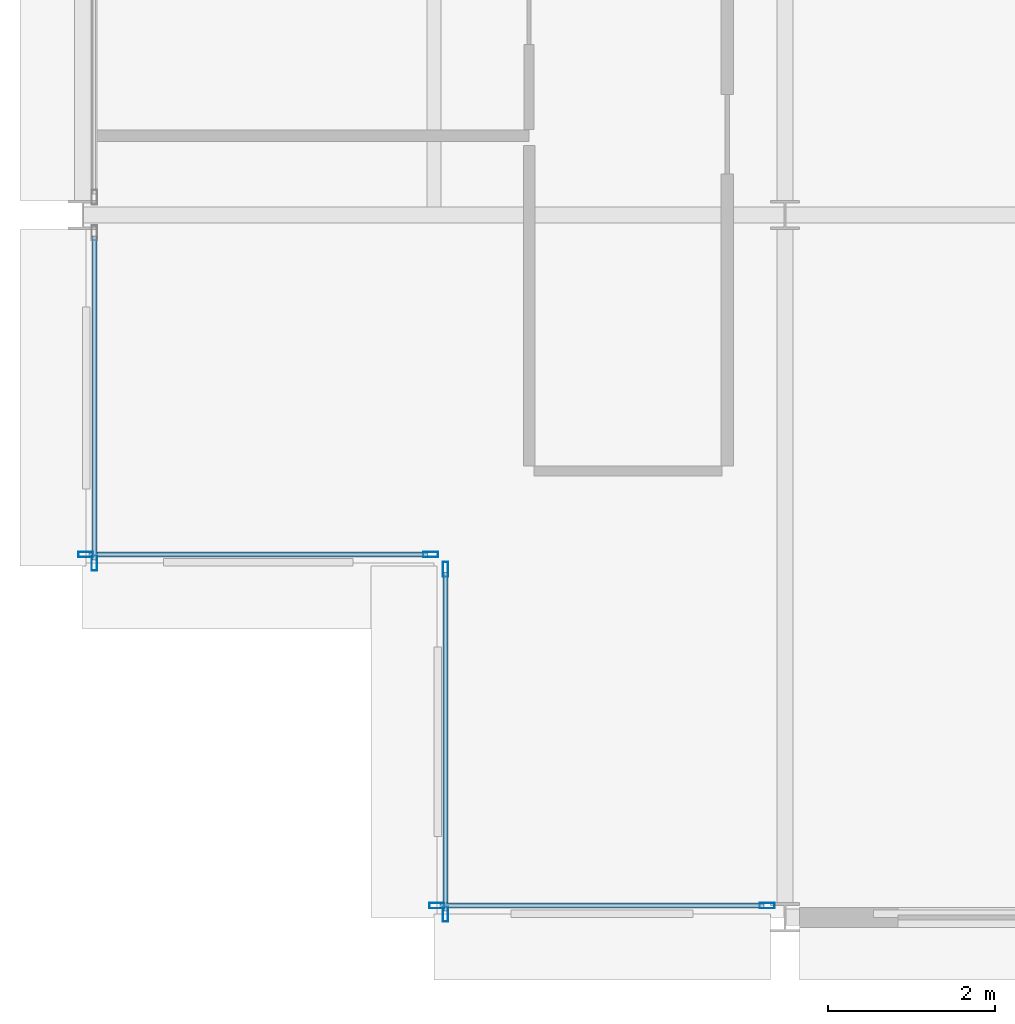
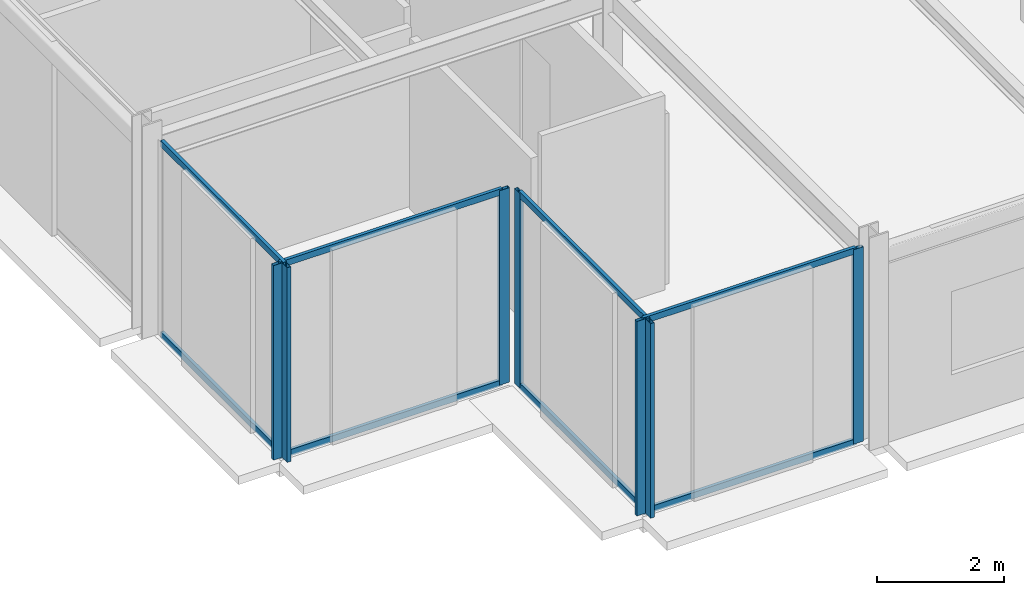
# One storey, part 2 of 26: 15 members, 4 elements without a shape of their own.
"""IFC4 building model written with IfcOpenShell, lengths in metres."""

from ifc_helpers import new_model, si_unit, direction, frame, origin, origin_2d, place, context, subcontext, project, spatial, hollow_rectangle, extrude, material, layer, layer_set, material_profile, profile_set, type_object, element, aggregate, save


model = new_model("IFC4")

# Units and contexts
model_context = context("Model", 3, precision=1e-05, world=origin(), true_north=direction((0.0, 1.0)))
body_context = subcontext(model_context, "Body", "Model", "MODEL_VIEW")
ifc_project = project(units=[si_unit("LENGTHUNIT", "METRE"), si_unit("AREAUNIT", "SQUARE_METRE"), si_unit("VOLUMEUNIT", "CUBIC_METRE"), si_unit("PLANEANGLEUNIT", "RADIAN"), si_unit("MASSUNIT", "GRAM", prefix="KILO")], contexts=[model_context])

# Site, building, storey
site_placement = place(None, origin())
site = spatial("IfcSite", under=ifc_project, at=site_placement, CompositionType="ELEMENT")
building_placement = place(site_placement, origin())
building = spatial("IfcBuilding", under=site, at=building_placement, Name="Nerrivon Quay Data Exchange", CompositionType="ELEMENT")
storey_placement = place(building_placement, frame((0.0, 0.0, 241.10009765625)))
storey = spatial("IfcBuildingStorey", under=building, at=storey_placement, Name="L57", CompositionType="ELEMENT", Elevation=241.10009765625)

# Curtain wall, members
ifc_material = material(Name="Anodised aluminium 6063-T6", Category="aluminium")
ifc_layer = layer(ifc_material, 0.195068359375)
ifc_layer_set = layer_set([ifc_layer], Name="Anodised aluminium 6063-T6")
curtain_wall_type = type_object("IfcCurtainWallType", Name="CW-SYS-06", PredefinedType="NOTDEFINED", material=ifc_layer_set)
curtain_wall_1_placement = place(storey_placement, origin())
curtain_wall_1 = element("IfcCurtainWall", 1, at=curtain_wall_1_placement, inside=storey, type_object=curtain_wall_type, Name="L57 Unitised Curtain Wall 8", PredefinedType="NOTDEFINED")
ifc_material_profile_1 = material_profile(ifc_material, hollow_rectangle(XDim=0.06494140625, YDim=0.179931640625, WallThickness=0.00341796875, at=origin_2d()), Name="ALU-MULL-180x65")
ifc_profile_set_1 = profile_set([ifc_material_profile_1], Name="Anodised aluminium 6063-T6")
member_type_1 = type_object("IfcMemberType", Name="CWM-180x65", PredefinedType="MULLION", material=ifc_profile_set_1)
member_1_placement = place(storey_placement, frame((8.1875, 0.139892578125, 0.0), z_axis=(0.0, 0.0, 1.0), x_axis=(0.0, -1.0, 0.0)))
member_1 = element("IfcMember", 2, at=member_1_placement, type_object=member_type_1, Name="CW06 mullion 1", PredefinedType="MULLION", context=body_context, shape_type="SweptSolid", body=[
    extrude(hollow_rectangle(XDim=0.06494140625, YDim=0.179931640625, WallThickness=0.00341796875, at=origin_2d()), origin(), (0.0, 0.0, 1.0), 3.75),
])
member_2_placement = place(storey_placement, frame((4.237548828125, 0.139892578125, 0.0), z_axis=(0.0, 0.0, 1.0), x_axis=(0.0, -1.0, 0.0)))
member_2 = element("IfcMember", 3, at=member_2_placement, type_object=member_type_1, Name="CW06 mullion 2", PredefinedType="MULLION", context=body_context, shape_type="SweptSolid", body=[
    extrude(hollow_rectangle(XDim=0.06494140625, YDim=0.179931640625, WallThickness=0.00341796875, at=origin_2d()), origin(), (0.0, 0.0, 1.0), 3.75),
])

curtain_wall_2_placement = place(storey_placement, origin())
curtain_wall_2 = element("IfcCurtainWall", 4, at=curtain_wall_2_placement, inside=storey, type_object=curtain_wall_type, Name="L57 Unitised Curtain Wall 9", PredefinedType="NOTDEFINED")
member_3_placement = place(storey_placement, frame((4.340087890625, 0.03759765625, 0.0), z_axis=(0.0, 0.0, 1.0), x_axis=(-1.0, 0.0, 0.0)))
member_3 = element("IfcMember", 5, at=member_3_placement, type_object=member_type_1, Name="CW06 mullion 1", PredefinedType="MULLION", context=body_context, shape_type="SweptSolid", body=[
    extrude(hollow_rectangle(XDim=0.06494140625, YDim=0.179931640625, WallThickness=0.00341796875, at=origin_2d()), origin(), (0.0, 0.0, 1.0), 3.75),
])
member_4_placement = place(storey_placement, frame((4.340087890625, 4.16259765625, 0.0), z_axis=(0.0, 0.0, 1.0), x_axis=(-1.0, 0.0, 0.0)))
member_4 = element("IfcMember", 6, at=member_4_placement, type_object=member_type_1, Name="CW06 mullion 2", PredefinedType="MULLION", context=body_context, shape_type="SweptSolid", body=[
    extrude(hollow_rectangle(XDim=0.06494140625, YDim=0.179931640625, WallThickness=0.00341796875, at=origin_2d()), origin(), (0.0, 0.0, 1.0), 3.75),
])

curtain_wall_3_placement = place(storey_placement, origin())
curtain_wall_3 = element("IfcCurtainWall", 7, at=curtain_wall_3_placement, inside=storey, type_object=curtain_wall_type, Name="L57 Unitised Curtain Wall 10", PredefinedType="NOTDEFINED")
member_5_placement = place(storey_placement, frame((4.16259765625, 4.340087890625, 0.0), z_axis=(0.0, 0.0, 1.0), x_axis=(0.0, -1.0, 0.0)))
member_5 = element("IfcMember", 8, at=member_5_placement, type_object=member_type_1, Name="CW06 mullion 1", PredefinedType="MULLION", context=body_context, shape_type="SweptSolid", body=[
    extrude(hollow_rectangle(XDim=0.06494140625, YDim=0.179931640625, WallThickness=0.00341796875, at=origin_2d()), origin(), (0.0, 0.0, 1.0), 3.75),
])
member_6_placement = place(storey_placement, frame((0.03759765625, 4.340087890625, 0.0), z_axis=(0.0, 0.0, 1.0), x_axis=(0.0, -1.0, 0.0)))
member_6 = element("IfcMember", 9, at=member_6_placement, type_object=member_type_1, Name="CW06 mullion 2", PredefinedType="MULLION", context=body_context, shape_type="SweptSolid", body=[
    extrude(hollow_rectangle(XDim=0.06494140625, YDim=0.179931640625, WallThickness=0.00341796875, at=origin_2d()), origin(), (0.0, 0.0, 1.0), 3.75),
])

# Curtain wall, member
curtain_wall_4_placement = place(storey_placement, origin())
curtain_wall_4 = element("IfcCurtainWall", 10, at=curtain_wall_4_placement, inside=storey, type_object=curtain_wall_type, Name="L57 Unitised Curtain Wall 11", PredefinedType="NOTDEFINED")
member_7_placement = place(storey_placement, frame((0.139892578125, 4.237548828125, 0.0), z_axis=(0.0, 0.0, 1.0), x_axis=(-1.0, 0.0, 0.0)))
member_7 = element("IfcMember", 11, at=member_7_placement, type_object=member_type_1, Name="CW06 mullion 1", PredefinedType="MULLION", context=body_context, shape_type="SweptSolid", body=[
    extrude(hollow_rectangle(XDim=0.06494140625, YDim=0.179931640625, WallThickness=0.00341796875, at=origin_2d()), origin(), (0.0, 0.0, 1.0), 3.75),
])

# Member
ifc_material_profile_2 = material_profile(ifc_material, hollow_rectangle(XDim=0.06005859375, YDim=0.1201171875, WallThickness=0.003173828125, at=origin_2d()), Name="ALU-TRAN-120x60")
ifc_profile_set_2 = profile_set([ifc_material_profile_2], Name="Anodised aluminium 6063-T6")
member_type_2 = type_object("IfcMemberType", Name="CWT-120x60", PredefinedType="USERDEFINED", material=ifc_profile_set_2)
member_8_placement = place(storey_placement, frame((8.14990234375, 0.139892578125, 0.032470703125), z_axis=(-1.0, 0.0, 0.0), x_axis=(0.0, -1.0, 0.0)))
member_8 = element("IfcMember", 12, at=member_8_placement, type_object=member_type_2, Name="CW06 transom 1.1", ObjectType="TRANSOM", PredefinedType="USERDEFINED", context=body_context, shape_type="SweptSolid", body=[
    extrude(hollow_rectangle(XDim=0.06005859375, YDim=0.1201171875, WallThickness=0.003173828125, at=origin_2d()), origin(), (0.0, 0.0, 1.0), 3.875),
])

member_9_placement = place(storey_placement, frame((8.14990234375, 0.139892578125, 3.71728515625), z_axis=(-1.0, 0.0, 0.0), x_axis=(0.0, -1.0, 0.0)))
member_9 = element("IfcMember", 13, at=member_9_placement, type_object=member_type_2, Name="CW06 transom 1.2", ObjectType="TRANSOM", PredefinedType="USERDEFINED", context=body_context, shape_type="SweptSolid", body=[
    extrude(hollow_rectangle(XDim=0.06005859375, YDim=0.1201171875, WallThickness=0.003173828125, at=origin_2d()), origin(), (0.0, 0.0, 1.0), 3.875),
])

aggregate(curtain_wall_1, [member_1, member_2, member_8, member_9])

member_10_placement = place(storey_placement, frame((4.340087890625, 0.074951171875, 0.032470703125), z_axis=(0.0, 1.0, 0.0), x_axis=(-1.0, 0.0, 0.0)))
member_10 = element("IfcMember", 14, at=member_10_placement, type_object=member_type_2, Name="CW06 transom 1.1", ObjectType="TRANSOM", PredefinedType="USERDEFINED", context=body_context, shape_type="SweptSolid", body=[
    extrude(hollow_rectangle(XDim=0.06005859375, YDim=0.1201171875, WallThickness=0.003173828125, at=origin_2d()), origin(), (0.0, 0.0, 1.0), 4.050048828125),
])

member_11_placement = place(storey_placement, frame((4.340087890625, 0.074951171875, 3.71728515625), z_axis=(0.0, 1.0, 0.0), x_axis=(-1.0, 0.0, 0.0)))
member_11 = element("IfcMember", 15, at=member_11_placement, type_object=member_type_2, Name="CW06 transom 1.2", ObjectType="TRANSOM", PredefinedType="USERDEFINED", context=body_context, shape_type="SweptSolid", body=[
    extrude(hollow_rectangle(XDim=0.06005859375, YDim=0.1201171875, WallThickness=0.003173828125, at=origin_2d()), origin(), (0.0, 0.0, 1.0), 4.050048828125),
])

aggregate(curtain_wall_2, [member_3, member_4, member_10, member_11])

member_12_placement = place(storey_placement, frame((4.125, 4.340087890625, 0.032470703125), z_axis=(-1.0, 0.0, 0.0), x_axis=(0.0, -1.0, 0.0)))
member_12 = element("IfcMember", 16, at=member_12_placement, type_object=member_type_2, Name="CW06 transom 1.1", ObjectType="TRANSOM", PredefinedType="USERDEFINED", context=body_context, shape_type="SweptSolid", body=[
    extrude(hollow_rectangle(XDim=0.06005859375, YDim=0.1201171875, WallThickness=0.003173828125, at=origin_2d()), origin(), (0.0, 0.0, 1.0), 4.050048828125),
])

member_13_placement = place(storey_placement, frame((4.125, 4.340087890625, 3.71728515625), z_axis=(-1.0, 0.0, 0.0), x_axis=(0.0, -1.0, 0.0)))
member_13 = element("IfcMember", 17, at=member_13_placement, type_object=member_type_2, Name="CW06 transom 1.2", ObjectType="TRANSOM", PredefinedType="USERDEFINED", context=body_context, shape_type="SweptSolid", body=[
    extrude(hollow_rectangle(XDim=0.06005859375, YDim=0.1201171875, WallThickness=0.003173828125, at=origin_2d()), origin(), (0.0, 0.0, 1.0), 4.050048828125),
])

aggregate(curtain_wall_3, [member_5, member_6, member_12, member_13])

member_14_placement = place(storey_placement, frame((0.139892578125, 4.27490234375, 0.032470703125), z_axis=(0.0, 1.0, 0.0), x_axis=(-1.0, 0.0, 0.0)))
member_14 = element("IfcMember", 18, at=member_14_placement, type_object=member_type_2, Name="CW06 transom 1.1", ObjectType="TRANSOM", PredefinedType="USERDEFINED", context=body_context, shape_type="SweptSolid", body=[
    extrude(hollow_rectangle(XDim=0.06005859375, YDim=0.1201171875, WallThickness=0.003173828125, at=origin_2d()), origin(), (0.0, 0.0, 1.0), 3.875),
])

member_15_placement = place(storey_placement, frame((0.139892578125, 4.27490234375, 3.71728515625), z_axis=(0.0, 1.0, 0.0), x_axis=(-1.0, 0.0, 0.0)))
member_15 = element("IfcMember", 19, at=member_15_placement, type_object=member_type_2, Name="CW06 transom 1.2", ObjectType="TRANSOM", PredefinedType="USERDEFINED", context=body_context, shape_type="SweptSolid", body=[
    extrude(hollow_rectangle(XDim=0.06005859375, YDim=0.1201171875, WallThickness=0.003173828125, at=origin_2d()), origin(), (0.0, 0.0, 1.0), 3.875),
])

aggregate(curtain_wall_4, [member_7, member_14, member_15])

save(model, "model.ifc")
